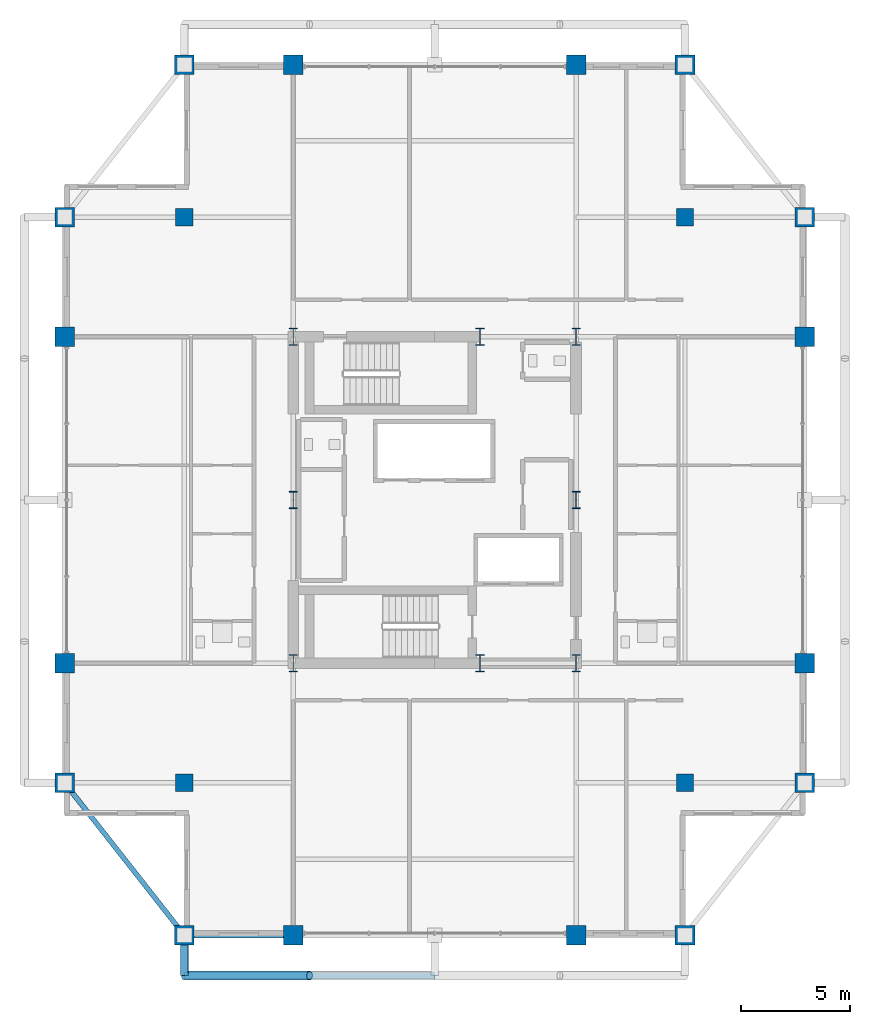
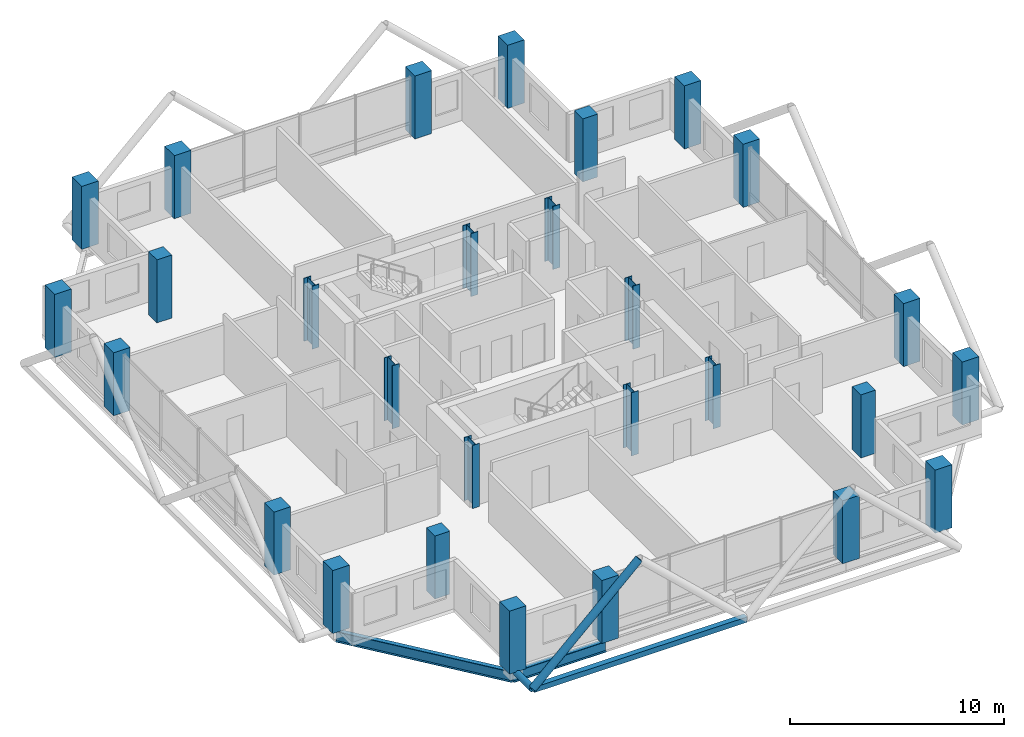
# One storey, part 1 of 24: 28 columns, 3 members, 2 beams.
"""IFC4 building model written with IfcOpenShell, lengths in metres."""

from ifc_helpers import new_model, si_unit, direction, frame, origin, origin_2d, place, context, subcontext, project, spatial, rectangle, hollow_rectangle, hollow_circle, i_section, extrude, material, material_profile, profile_set, type_object, element, save


model = new_model("IFC4")

# Units and contexts
model_context = context("Model", 3, precision=1e-05, world=origin(), true_north=direction((0.0, 1.0)))
body_context = subcontext(model_context, "Body", "Model", "MODEL_VIEW")
ifc_project = project(units=[si_unit("LENGTHUNIT", "METRE"), si_unit("AREAUNIT", "SQUARE_METRE"), si_unit("VOLUMEUNIT", "CUBIC_METRE"), si_unit("PLANEANGLEUNIT", "RADIAN"), si_unit("MASSUNIT", "GRAM", prefix="KILO")], contexts=[model_context])

# Site, building, storey
site_placement = place(None, origin())
site = spatial("IfcSite", under=ifc_project, at=site_placement, CompositionType="ELEMENT")
building_placement = place(site_placement, origin())
building = spatial("IfcBuilding", under=site, at=building_placement, Name="Barlavira Tower and Art Museum", CompositionType="ELEMENT")
storey_placement = place(building_placement, frame((0.0, 0.0, 294.300048828125)))
storey = spatial("IfcBuildingStorey", under=building, at=storey_placement, Name="L77", CompositionType="ELEMENT", Elevation=294.300048828125)

# Columns
ifc_material_1 = material(Name="Steel S355", Category="steel")
ifc_material_profile_1 = material_profile(ifc_material_1, i_section(OverallWidth=0.382080078125, OverallDepth=0.785888671875, WebThickness=0.02001953125, FlangeThickness=0.032958984375, at=origin_2d()), Name="W760x314.0")
ifc_profile_set_1 = profile_set([ifc_material_profile_1], Name="Steel S355")
column_type_1 = type_object("IfcColumnType", Name="Core Composite Column W760x314 Steel S355", PredefinedType="COLUMN", material=ifc_profile_set_1)
for number, where, z_axis, x_axis, name in (
    (1, (-6.5, -7.5, 0.0), (0.0, 0.0, 1.0), (1.0, 0.0, 0.0), "L77 Column CC-L77-C1"),
    (2, (2.080078125, -7.5, 0.0), (0.0, 0.0, 1.0), (1.0, 0.0, 0.0), "L77 Column CC-L77-C2"),
    (3, (6.5, -7.5, 0.0), (0.0, 0.0, 1.0), (1.0, 0.0, 0.0), "L77 Column CC-L77-C3"),
    (4, (-6.5, 0.0, 0.0), (0.0, 0.0, 1.0), (1.0, 0.0, 0.0), "L77 Column CC-L77-C4"),
    (5, (6.5, 0.0, 0.0), (0.0, 0.0, 1.0), (1.0, 0.0, 0.0), "L77 Column CC-L77-C5"),
    (6, (-6.5, 7.5, 0.0), (0.0, 0.0, 1.0), (1.0, 0.0, 0.0), "L77 Column CC-L77-C6"),
    (7, (2.080078125, 7.5, 0.0), (0.0, 0.0, 1.0), (1.0, 0.0, 0.0), "L77 Column CC-L77-C7"),
    (8, (6.5, 7.5, 0.0), (0.0, 0.0, 1.0), (1.0, 0.0, 0.0), "L77 Column CC-L77-C8"),
):
    element("IfcColumn", number, at=place(storey_placement, frame(where, z_axis=z_axis, x_axis=x_axis)), inside=storey, type_object=column_type_1, Name=name, PredefinedType="COLUMN", context=body_context, shape_type="SweptSolid", body=[
        extrude(i_section(OverallWidth=0.382080078125, OverallDepth=0.785888671875, WebThickness=0.02001953125, FlangeThickness=0.032958984375, at=origin_2d()), origin(), (0.0, 0.0, 1.0), 3.599853515625),
    ])
ifc_material_2 = material(Name="Concrete C50", Category="concrete")
ifc_material_profile_2 = material_profile(ifc_material_2, rectangle(XDim=0.89990234375, YDim=0.89990234375, at=origin_2d()), Name="RC-COL 900x900")
ifc_profile_set_2 = profile_set([ifc_material_profile_2], Name="Concrete C50")
column_type_2 = type_object("IfcColumnType", Name="Perimeter Mega Column 900x900 Concrete C50", PredefinedType="USERDEFINED", material=ifc_profile_set_2)
for number, where, z_axis, x_axis, name in (
    (9, (-11.5, -20.0, 0.0), (0.0, 0.0, 1.0), (1.0, 0.0, 0.0), "L77 Column MC-L77-M01"),
    (10, (-6.5, -20.0, 0.0), (0.0, 0.0, 1.0), (1.0, 0.0, 0.0), "L77 Column MC-L77-M02"),
    (11, (6.5, -20.0, 0.0), (0.0, 0.0, 1.0), (1.0, 0.0, 0.0), "L77 Column MC-L77-M03"),
    (12, (11.5, -20.0, 0.0), (0.0, 0.0, 1.0), (1.0, 0.0, 0.0), "L77 Column MC-L77-M04"),
    (13, (17.0, -13.0, 0.0), (0.0, 0.0, 1.0), (1.0, 0.0, 0.0), "L77 Column MC-L77-M05"),
    (14, (17.0, -7.5, 0.0), (0.0, 0.0, 1.0), (1.0, 0.0, 0.0), "L77 Column MC-L77-M06"),
    (15, (17.0, 7.5, 0.0), (0.0, 0.0, 1.0), (1.0, 0.0, 0.0), "L77 Column MC-L77-M07"),
    (16, (17.0, 13.0, 0.0), (0.0, 0.0, 1.0), (1.0, 0.0, 0.0), "L77 Column MC-L77-M08"),
    (17, (11.5, 20.0, 0.0), (0.0, 0.0, 1.0), (1.0, 0.0, 0.0), "L77 Column MC-L77-M09"),
    (18, (6.5, 20.0, 0.0), (0.0, 0.0, 1.0), (1.0, 0.0, 0.0), "L77 Column MC-L77-M10"),
    (19, (-6.5, 20.0, 0.0), (0.0, 0.0, 1.0), (1.0, 0.0, 0.0), "L77 Column MC-L77-M11"),
    (20, (-11.5, 20.0, 0.0), (0.0, 0.0, 1.0), (1.0, 0.0, 0.0), "L77 Column MC-L77-M12"),
    (21, (-17.0, 13.0, 0.0), (0.0, 0.0, 1.0), (1.0, 0.0, 0.0), "L77 Column MC-L77-M13"),
    (22, (-17.0, 7.5, 0.0), (0.0, 0.0, 1.0), (1.0, 0.0, 0.0), "L77 Column MC-L77-M14"),
    (23, (-17.0, -7.5, 0.0), (0.0, 0.0, 1.0), (1.0, 0.0, 0.0), "L77 Column MC-L77-M15"),
    (24, (-17.0, -13.0, 0.0), (0.0, 0.0, 1.0), (1.0, 0.0, 0.0), "L77 Column MC-L77-M16"),
):
    element("IfcColumn", number, at=place(storey_placement, frame(where, z_axis=z_axis, x_axis=x_axis)), inside=storey, type_object=column_type_2, Name=name, ObjectType="MEGA COLUMN", PredefinedType="USERDEFINED", context=body_context, shape_type="SweptSolid", body=[
        extrude(rectangle(XDim=0.89990234375, YDim=0.89990234375, at=origin_2d()), origin(), (0.0, 0.0, 1.0), 3.599853515625),
    ])
ifc_material_profile_3 = material_profile(ifc_material_2, rectangle(XDim=0.800048828125, YDim=0.800048828125, at=origin_2d()), Name="RC-COL 800x800")
ifc_profile_set_3 = profile_set([ifc_material_profile_3], Name="Concrete C50")
column_type_3 = type_object("IfcColumnType", Name="Podium Frame Column 800x800 Concrete C50", PredefinedType="COLUMN", material=ifc_profile_set_3)
for number, where, z_axis, x_axis, name in (
    (25, (-11.5, -13.0, 0.0), (0.0, 0.0, 1.0), (1.0, 0.0, 0.0), "L77 Column CI-L77-I1"),
    (26, (11.5, -13.0, 0.0), (0.0, 0.0, 1.0), (1.0, 0.0, 0.0), "L77 Column CI-L77-I2"),
    (27, (-11.5, 13.0, 0.0), (0.0, 0.0, 1.0), (1.0, 0.0, 0.0), "L77 Column CI-L77-I3"),
    (28, (11.5, 13.0, 0.0), (0.0, 0.0, 1.0), (1.0, 0.0, 0.0), "L77 Column CI-L77-I4"),
):
    element("IfcColumn", number, at=place(storey_placement, frame(where, z_axis=z_axis, x_axis=x_axis)), inside=storey, type_object=column_type_3, Name=name, PredefinedType="COLUMN", context=body_context, shape_type="SweptSolid", body=[
        extrude(rectangle(XDim=0.800048828125, YDim=0.800048828125, at=origin_2d()), origin(), (0.0, 0.0, 1.0), 3.599853515625),
    ])

# Members
ifc_material_profile_4 = material_profile(ifc_material_1, hollow_circle(Radius=0.203125, WallThickness=0.01611328125, at=origin_2d()), Name="CHS 406.4x16.0")
ifc_profile_set_4 = profile_set([ifc_material_profile_4], Name="Steel S355")
member_type_1 = type_object("IfcMemberType", Name="Pale-Metal Exoskeleton Diagrid Tube CHS 406x16 Steel S355", PredefinedType="BRACE", material=ifc_profile_set_4)
member_1_placement = place(storey_placement, frame((-11.5, -21.85009765625, -0.1201171875), z_axis=(0.728934650808, 0.0, 0.684583285548), x_axis=(0.0, 1.0, 0.0)))
element("IfcMember", 29, at=member_1_placement, inside=storey, type_object=member_type_1, Name="L77 Exoskeleton Diagrid Tube S", PredefinedType="BRACE", context=body_context, shape_type="SweptSolid", body=[
    extrude(hollow_circle(Radius=0.203125, WallThickness=0.01611328125, at=origin_2d()), origin(), (0.0, 0.0, 1.0), 7.88818359375),
])
ifc_material_profile_5 = material_profile(ifc_material_1, hollow_circle(Radius=0.177734375, WallThickness=0.01611328125, at=origin_2d()), Name="CHS 355.6x16.0")
ifc_profile_set_5 = profile_set([ifc_material_profile_5], Name="Steel S355")
member_type_2 = type_object("IfcMemberType", Name="Pale-Metal Exoskeleton Tie Strut CHS 356x16 Steel S355", PredefinedType="STRUT", material=ifc_profile_set_5)
member_2_placement = place(storey_placement, frame((-11.5, -21.85009765625, -0.1201171875), z_axis=(0.0, 1.0, 0.0), x_axis=(-1.0, 0.0, 0.0)))
element("IfcMember", 30, at=member_2_placement, inside=storey, type_object=member_type_2, Name="L77 Exoskeleton Tie Strut S1", PredefinedType="STRUT", context=body_context, shape_type="SweptSolid", body=[
    extrude(hollow_circle(Radius=0.177734375, WallThickness=0.01611328125, at=origin_2d()), origin(), (0.0, 0.0, 1.0), 1.85009765625),
])
ifc_material_profile_6 = material_profile(ifc_material_1, hollow_rectangle(XDim=0.300048828125, YDim=0.300048828125, WallThickness=0.01611328125, at=origin_2d()), Name="SHS 300x300x16.0")
ifc_profile_set_6 = profile_set([ifc_material_profile_6], Name="Steel S355")
member_type_3 = type_object("IfcMemberType", Name="Pale-Metal Upper Ring Strut SHS 300x300x16 Steel S355", PredefinedType="STRUT", material=ifc_profile_set_6)
member_3_placement = place(storey_placement, frame((-11.5, -21.85009765625, -0.1201171875), z_axis=(1.0, 0.0, 0.0), x_axis=(0.0, 1.0, 0.0)))
element("IfcMember", 31, at=member_3_placement, inside=storey, type_object=member_type_3, Name="L77 Exoskeleton Ring Strut S", PredefinedType="STRUT", context=body_context, shape_type="SweptSolid", body=[
    extrude(hollow_rectangle(XDim=0.300048828125, YDim=0.300048828125, WallThickness=0.01611328125, at=origin_2d()), origin(), (0.0, 0.0, 1.0), 11.5),
])

# Beams
ifc_material_profile_7 = material_profile(ifc_material_1, i_section(OverallWidth=0.22998046875, OverallDepth=0.616943359375, WebThickness=0.01318359375, FlangeThickness=0.022216796875, at=origin_2d()), Name="W610x140.0")
ifc_profile_set_7 = profile_set([ifc_material_profile_7], Name="Steel S355")
beam_type = type_object("IfcBeamType", Name="Upper Shaft Spandrel Edge Beam W610x140 Steel S355", PredefinedType="SPANDREL", material=ifc_profile_set_7)
beam_1_placement = place(storey_placement, frame((-11.5, -20.0, -0.528564453125), z_axis=(1.0, 0.0, 0.0), x_axis=(0.0, 1.0, 0.0)))
element("IfcBeam", 32, at=beam_1_placement, inside=storey, type_object=beam_type, Name="L77 Spandrel 1", PredefinedType="SPANDREL", context=body_context, shape_type="SweptSolid", body=[
    extrude(i_section(OverallWidth=0.22998046875, OverallDepth=0.616943359375, WebThickness=0.01318359375, FlangeThickness=0.022216796875, at=origin_2d()), origin(), (0.0, 0.0, 1.0), 5.0),
])
beam_2_placement = place(storey_placement, frame((-17.0, -13.0, -0.528564453125), z_axis=(0.617821551932, -0.786318338822, 0.0), x_axis=(0.786318338822, 0.617821551932, 0.0)))
element("IfcBeam", 33, at=beam_2_placement, inside=storey, type_object=beam_type, Name="L77 Spandrel 16", PredefinedType="SPANDREL", context=body_context, shape_type="SweptSolid", body=[
    extrude(i_section(OverallWidth=0.22998046875, OverallDepth=0.616943359375, WebThickness=0.01318359375, FlangeThickness=0.022216796875, at=origin_2d()), origin(), (0.0, 0.0, 1.0), 8.90234375),
])

save(model, "model.ifc")
